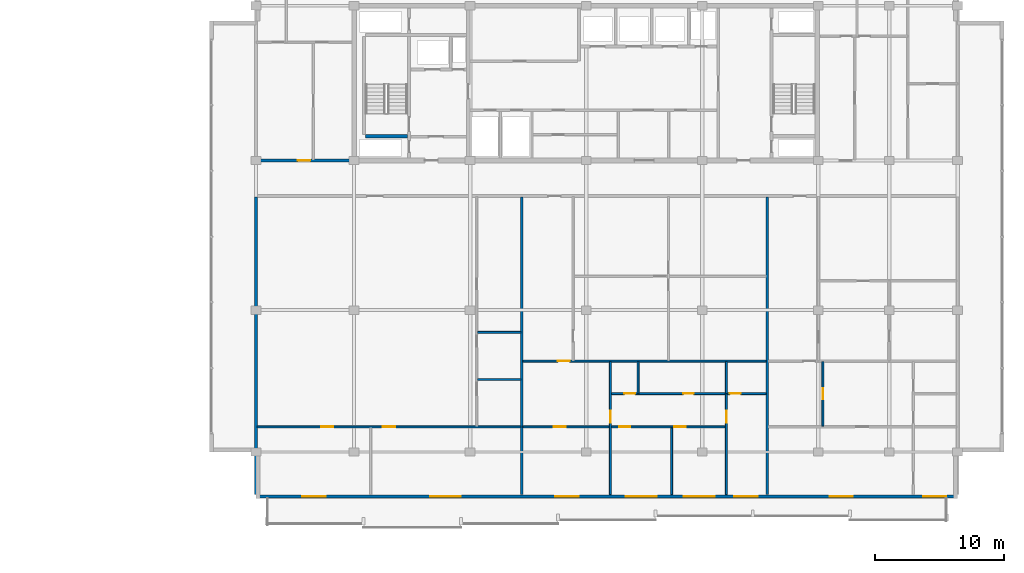
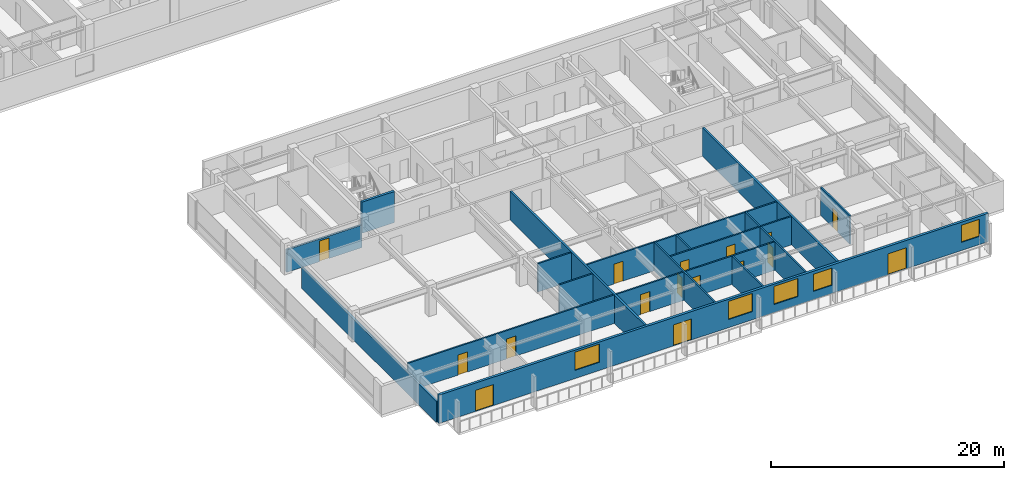
# One storey, part 13 of 30: 18 walls, 16 doors, 5 windows, 21 openings.
"""IFC4 building model written with IfcOpenShell, lengths in metres."""

from ifc_helpers import new_model, si_unit, direction, frame, frame_2d, origin, place, context, subcontext, project, spatial, rectangle, extrude, material, layer, layer_set, type_object, element, fill, save


model = new_model("IFC4")

# Units and contexts
model_context = context("Model", 3, precision=1e-05, world=origin(), true_north=direction((0.0, 1.0)))
body_context = subcontext(model_context, "Body", "Model", "MODEL_VIEW")
ifc_project = project(units=[si_unit("LENGTHUNIT", "METRE"), si_unit("AREAUNIT", "SQUARE_METRE"), si_unit("VOLUMEUNIT", "CUBIC_METRE"), si_unit("PLANEANGLEUNIT", "RADIAN"), si_unit("MASSUNIT", "GRAM", prefix="KILO")], contexts=[model_context])

# Site, building, storey
site_placement = place(None, origin())
site = spatial("IfcSite", under=ifc_project, at=site_placement, CompositionType="ELEMENT")
building_placement = place(site_placement, origin())
building = spatial("IfcBuilding", under=site, at=building_placement, Name="Korimba Cascade Residences", CompositionType="ELEMENT")
storey_placement = place(building_placement, frame((0.0, 0.0, 201.10009765625)))
storey = spatial("IfcBuildingStorey", under=building, at=storey_placement, Name="L58", CompositionType="ELEMENT", Elevation=201.10009765625)

# Wall, openings, doors, windows
ifc_material_1 = material(Name="Precast concrete C40/50", Category="concrete")
ifc_layer_1 = layer(ifc_material_1, 0.25)
ifc_layer_set_1 = layer_set([ifc_layer_1], Name="Precast concrete C40/50")
wall_type_1 = type_object("IfcWallType", Name="EW-LOG-250", PredefinedType="STANDARD", material=ifc_layer_set_1)
wall_1_placement = place(storey_placement, frame((74.5, -7.64990234375, 0.0), z_axis=(0.0, 0.0, 1.0), x_axis=(1.0, 0.0, 0.0)))
wall_1 = element("IfcWall", 1, at=wall_1_placement, inside=storey, type_object=wall_type_1, Name="L58 T2 Perimeter Stone Wall E00", PredefinedType="STANDARD", context=body_context, shape_type="SweptSolid", body=[
    extrude(rectangle(XDim=54.39990234375, YDim=0.25, at=frame_2d((27.199951171875, 0.0))), origin(), (0.0, 0.0, 1.0), 2.969970703125),
])
opening_1_placement = place(wall_1_placement, frame((3.604248046875, 0.0, 0.0)))
opening_1 = element("IfcOpeningElement", 2, at=opening_1_placement, cuts=wall_1, Name="Opening D-LG1", PredefinedType="OPENING", context=body_context, shape_type="SweptSolid", body=[
    extrude(rectangle(XDim=1.800048828125, YDim=2.199951171875, at=frame_2d((0.89990234375, 1.10009765625))), frame((0.0, 0.135009765625, 0.0), z_axis=(0.0, -1.0, 0.0), x_axis=(1.0, 0.0, 0.0)), (0.0, 0.0, 1.0), 0.27001953125),
])
opening_2_placement = place(wall_1_placement, frame((13.492431640625, 0.0, 0.85009765625)))
opening_2 = element("IfcOpeningElement", 3, at=opening_2_placement, cuts=wall_1, Name="Opening W-01", PredefinedType="OPENING", context=body_context, shape_type="SweptSolid", body=[
    extrude(rectangle(XDim=2.39990234375, YDim=1.89990234375, at=frame_2d((1.199951171875, 0.949951171875))), frame((0.0, 0.135009765625, 0.0), z_axis=(0.0, -1.0, 0.0), x_axis=(1.0, 0.0, 0.0)), (0.0, 0.0, 1.0), 0.27001953125),
])
opening_3_placement = place(wall_1_placement, frame((28.655029296875, 0.0, 0.85009765625)))
opening_3 = element("IfcOpeningElement", 4, at=opening_3_placement, cuts=wall_1, Name="Opening W-01", PredefinedType="OPENING", context=body_context, shape_type="SweptSolid", body=[
    extrude(rectangle(XDim=2.39990234375, YDim=1.89990234375, at=frame_2d((1.199951171875, 0.949951171875))), frame((0.0, 0.135009765625, 0.0), z_axis=(0.0, -1.0, 0.0), x_axis=(1.0, 0.0, 0.0)), (0.0, 0.0, 1.0), 0.27001953125),
])
opening_4_placement = place(wall_1_placement, frame((33.155029296875, 0.0, 0.85009765625)))
opening_4 = element("IfcOpeningElement", 5, at=opening_4_placement, cuts=wall_1, Name="Opening W-01", PredefinedType="OPENING", context=body_context, shape_type="SweptSolid", body=[
    extrude(rectangle(XDim=2.39990234375, YDim=1.89990234375, at=frame_2d((1.199951171875, 0.949951171875))), frame((0.0, 0.135009765625, 0.0), z_axis=(0.0, -1.0, 0.0), x_axis=(1.0, 0.0, 0.0)), (0.0, 0.0, 1.0), 0.27001953125),
])
opening_5_placement = place(wall_1_placement, frame((23.20849609375, 0.0, 0.0)))
opening_5 = element("IfcOpeningElement", 6, at=opening_5_placement, cuts=wall_1, Name="Opening D-LG1", PredefinedType="OPENING", context=body_context, shape_type="SweptSolid", body=[
    extrude(rectangle(XDim=1.800048828125, YDim=2.199951171875, at=frame_2d((0.89990234375, 1.10009765625))), frame((0.0, 0.135009765625, 0.0), z_axis=(0.0, -1.0, 0.0), x_axis=(1.0, 0.0, 0.0)), (0.0, 0.0, 1.0), 0.27001953125),
])
opening_6_placement = place(wall_1_placement, frame((37.100830078125, 0.0, 0.85009765625)))
opening_6 = element("IfcOpeningElement", 7, at=opening_6_placement, cuts=wall_1, Name="Opening W-02", PredefinedType="OPENING", context=body_context, shape_type="SweptSolid", body=[
    extrude(rectangle(XDim=1.800048828125, YDim=1.800048828125, at=frame_2d((0.89990234375, 0.89990234375))), frame((0.0, 0.135009765625, 0.0), z_axis=(0.0, -1.0, 0.0), x_axis=(1.0, 0.0, 0.0)), (0.0, 0.0, 1.0), 0.27001953125),
])
opening_7_placement = place(wall_1_placement, frame((44.470947265625, 0.0, 0.0)))
opening_7 = element("IfcOpeningElement", 8, at=opening_7_placement, cuts=wall_1, Name="Opening D-LG1", PredefinedType="OPENING", context=body_context, shape_type="SweptSolid", body=[
    extrude(rectangle(XDim=1.800048828125, YDim=2.199951171875, at=frame_2d((0.89990234375, 1.10009765625))), frame((0.0, 0.135009765625, 0.0), z_axis=(0.0, -1.0, 0.0), x_axis=(1.0, 0.0, 0.0)), (0.0, 0.0, 1.0), 0.27001953125),
])
opening_8_placement = place(wall_1_placement, frame((51.72998046875, 0.0, 0.85009765625)))
opening_8 = element("IfcOpeningElement", 9, at=opening_8_placement, cuts=wall_1, Name="Opening W-02", PredefinedType="OPENING", context=body_context, shape_type="SweptSolid", body=[
    extrude(rectangle(XDim=1.800048828125, YDim=1.800048828125, at=frame_2d((0.89990234375, 0.89990234375))), frame((0.0, 0.135009765625, 0.0), z_axis=(0.0, -1.0, 0.0), x_axis=(1.0, 0.0, 0.0)), (0.0, 0.0, 1.0), 0.27001953125),
])
ifc_material_2 = material(Name="Glazed Aluminium Loggia Sliding Door", Category="aluminium")
door_type_1 = type_object("IfcDoorType", Name="DR-EXT-LOG", OperationType="NOTDEFINED", PredefinedType="DOOR", material=ifc_material_2)
door_1_placement = place(opening_1_placement, origin())
door_1 = element("IfcDoor", 10, at=door_1_placement, inside=storey, type_object=door_type_1, Name="L58 T2 Loggia Sliding Door 3", OperationType="SLIDING_TO_RIGHT", OverallHeight=2.199951171875, OverallWidth=1.800048828125, PredefinedType="DOOR", context=body_context, shape_type="SweptSolid", body=[
    extrude(rectangle(XDim=1.800048828125, YDim=2.199951171875, at=frame_2d((0.89990234375, 1.10009765625))), frame((0.0, 0.02490234375, 0.0), z_axis=(0.0, -1.0, 0.0), x_axis=(1.0, 0.0, 0.0)), (0.0, 0.0, 1.0), 0.050048828125),
])
fill(opening_1, door_1)
door_2_placement = place(opening_5_placement, origin())
door_2 = element("IfcDoor", 11, at=door_2_placement, inside=storey, type_object=door_type_1, Name="L58 T2 Loggia Sliding Door 7", OperationType="SLIDING_TO_RIGHT", OverallHeight=2.199951171875, OverallWidth=1.800048828125, PredefinedType="DOOR", context=body_context, shape_type="SweptSolid", body=[
    extrude(rectangle(XDim=1.800048828125, YDim=2.199951171875, at=frame_2d((0.89990234375, 1.10009765625))), frame((0.0, 0.02490234375, 0.0), z_axis=(0.0, -1.0, 0.0), x_axis=(1.0, 0.0, 0.0)), (0.0, 0.0, 1.0), 0.050048828125),
])
fill(opening_5, door_2)
door_3_placement = place(opening_7_placement, origin())
door_3 = element("IfcDoor", 12, at=door_3_placement, inside=storey, type_object=door_type_1, Name="L58 T2 Loggia Sliding Door 9", OperationType="SLIDING_TO_RIGHT", OverallHeight=2.199951171875, OverallWidth=1.800048828125, PredefinedType="DOOR", context=body_context, shape_type="SweptSolid", body=[
    extrude(rectangle(XDim=1.800048828125, YDim=2.199951171875, at=frame_2d((0.89990234375, 1.10009765625))), frame((0.0, 0.02490234375, 0.0), z_axis=(0.0, -1.0, 0.0), x_axis=(1.0, 0.0, 0.0)), (0.0, 0.0, 1.0), 0.050048828125),
])
fill(opening_7, door_3)
ifc_material_3 = material(Name="Double-Glazed Aluminium Window", Category="aluminium")
window_type_1 = type_object("IfcWindowType", Name="WIN-BED-1800", PartitioningType="SINGLE_PANEL", PredefinedType="WINDOW", material=ifc_material_3)
window_1_placement = place(opening_6_placement, origin())
window_1 = element("IfcWindow", 13, at=window_1_placement, inside=storey, type_object=window_type_1, Name="L58 T2 South Facade Window 8", OverallHeight=1.800048828125, OverallWidth=1.800048828125, PartitioningType="SINGLE_PANEL", PredefinedType="WINDOW", context=body_context, shape_type="SweptSolid", body=[
    extrude(rectangle(XDim=1.800048828125, YDim=1.800048828125, at=frame_2d((0.89990234375, 0.89990234375))), frame((0.0, 0.030029296875, 0.0), z_axis=(0.0, -1.0, 0.0), x_axis=(1.0, 0.0, 0.0)), (0.0, 0.0, 1.0), 0.06005859375),
])
fill(opening_6, window_1)
window_2_placement = place(opening_8_placement, origin())
window_2 = element("IfcWindow", 14, at=window_2_placement, inside=storey, type_object=window_type_1, Name="L58 T2 South Facade Window 10", OverallHeight=1.800048828125, OverallWidth=1.800048828125, PartitioningType="SINGLE_PANEL", PredefinedType="WINDOW", context=body_context, shape_type="SweptSolid", body=[
    extrude(rectangle(XDim=1.800048828125, YDim=1.800048828125, at=frame_2d((0.89990234375, 0.89990234375))), frame((0.0, 0.030029296875, 0.0), z_axis=(0.0, -1.0, 0.0), x_axis=(1.0, 0.0, 0.0)), (0.0, 0.0, 1.0), 0.06005859375),
])
fill(opening_8, window_2)
window_type_2 = type_object("IfcWindowType", Name="WIN-RES-2400", PartitioningType="DOUBLE_PANEL_VERTICAL", PredefinedType="WINDOW", material=ifc_material_3)
window_3_placement = place(opening_2_placement, origin())
window_3 = element("IfcWindow", 15, at=window_3_placement, inside=storey, type_object=window_type_2, Name="L58 T2 South Facade Window 4", OverallHeight=1.89990234375, OverallWidth=2.39990234375, PartitioningType="DOUBLE_PANEL_VERTICAL", PredefinedType="WINDOW", context=body_context, shape_type="SweptSolid", body=[
    extrude(rectangle(XDim=2.39990234375, YDim=1.89990234375, at=frame_2d((1.199951171875, 0.949951171875))), frame((0.0, 0.030029296875, 0.0), z_axis=(0.0, -1.0, 0.0), x_axis=(1.0, 0.0, 0.0)), (0.0, 0.0, 1.0), 0.06005859375),
])
fill(opening_2, window_3)
window_4_placement = place(opening_3_placement, origin())
window_4 = element("IfcWindow", 16, at=window_4_placement, inside=storey, type_object=window_type_2, Name="L58 T2 South Facade Window 5", OverallHeight=1.89990234375, OverallWidth=2.39990234375, PartitioningType="DOUBLE_PANEL_VERTICAL", PredefinedType="WINDOW", context=body_context, shape_type="SweptSolid", body=[
    extrude(rectangle(XDim=2.39990234375, YDim=1.89990234375, at=frame_2d((1.199951171875, 0.949951171875))), frame((0.0, 0.030029296875, 0.0), z_axis=(0.0, -1.0, 0.0), x_axis=(1.0, 0.0, 0.0)), (0.0, 0.0, 1.0), 0.06005859375),
])
fill(opening_3, window_4)
window_5_placement = place(opening_4_placement, origin())
window_5 = element("IfcWindow", 17, at=window_5_placement, inside=storey, type_object=window_type_2, Name="L58 T2 South Facade Window 6", OverallHeight=1.89990234375, OverallWidth=2.39990234375, PartitioningType="DOUBLE_PANEL_VERTICAL", PredefinedType="WINDOW", context=body_context, shape_type="SweptSolid", body=[
    extrude(rectangle(XDim=2.39990234375, YDim=1.89990234375, at=frame_2d((1.199951171875, 0.949951171875))), frame((0.0, 0.030029296875, 0.0), z_axis=(0.0, -1.0, 0.0), x_axis=(1.0, 0.0, 0.0)), (0.0, 0.0, 1.0), 0.06005859375),
])
fill(opening_4, window_5)

# Wall, opening, door
ifc_layer_2 = layer(ifc_material_1, 0.199951171875)
ifc_layer_set_2 = layer_set([ifc_layer_2], Name="Precast concrete C40/50")
wall_type_2 = type_object("IfcWallType", Name="WAL-IT-200", PredefinedType="PARTITIONING", material=ifc_layer_set_2)
wall_2_placement = place(storey_placement, frame((74.5, 18.39990234375, 0.0), z_axis=(0.0, 0.0, 1.0), x_axis=(1.0, 0.0, 0.0)))
wall_2 = element("IfcWall", 18, at=wall_2_placement, inside=storey, type_object=wall_type_2, Name="L58 Partition Wall WAL-L58-T2-FW-S", PredefinedType="PARTITIONING", context=body_context, shape_type="SweptSolid", body=[
    extrude(rectangle(XDim=7.449951171875, YDim=0.199951171875, at=frame_2d((3.72509765625, 0.0))), origin(), (0.0, 0.0, 1.0), 2.357666015625),
])
opening_9_placement = place(wall_2_placement, frame((3.25, 0.0, 0.0)))
opening_9 = element("IfcOpeningElement", 19, at=opening_9_placement, cuts=wall_2, Name="Opening D-UN1", PredefinedType="OPENING", context=body_context, shape_type="SweptSolid", body=[
    extrude(rectangle(XDim=0.949951171875, YDim=2.14990234375, at=frame_2d((0.47509765625, 1.074951171875))), frame((0.0, 0.10986328125, 0.0), z_axis=(0.0, -1.0, 0.0), x_axis=(1.0, 0.0, 0.0)), (0.0, 0.0, 1.0), 0.219970703125),
])
ifc_material_4 = material(Name="Fire-Rated Hardwood Apartment Entrance Door", Category="wood")
door_type_2 = type_object("IfcDoorType", Name="DR-FD60-950", OperationType="NOTDEFINED", PredefinedType="DOOR", material=ifc_material_4)
door_4_placement = place(opening_9_placement, origin())
door_4 = element("IfcDoor", 20, at=door_4_placement, inside=storey, type_object=door_type_2, Name="L58-T2-FW Entrance Door", OperationType="SINGLE_SWING_LEFT", OverallHeight=2.14990234375, OverallWidth=0.949951171875, PredefinedType="DOOR", context=body_context, shape_type="SweptSolid", body=[
    extrude(rectangle(XDim=0.949951171875, YDim=2.14990234375, at=frame_2d((0.47509765625, 1.074951171875))), frame((0.0, 0.02490234375, 0.0), z_axis=(0.0, -1.0, 0.0), x_axis=(1.0, 0.0, 0.0)), (0.0, 0.0, 1.0), 0.050048828125),
])
fill(opening_9, door_4)

# Walls
wall_3_placement = place(storey_placement, frame((74.5, -7.5, 0.0), z_axis=(0.0, 0.0, 1.0), x_axis=(0.0, 1.0, 0.0)))
element("IfcWall", 21, at=wall_3_placement, inside=storey, type_object=wall_type_2, Name="L58 Partition Wall WAL-L58-T2-BNDWL", PredefinedType="PARTITIONING", context=body_context, shape_type="SweptSolid", body=[
    extrude(rectangle(XDim=23.070068359375, YDim=0.199951171875, at=frame_2d((11.53515625, 0.0))), origin(), (0.0, 0.0, 1.0), 2.2001953125),
])
for number, where, z_axis, x_axis, name in (
    (22, (95.11669921875, -7.5, 0.0), (0.0, 0.0, 1.0), (0.0, 1.0, 0.0), "L58 Partition Wall WAL-L58-T2-DEM-1"),
    (23, (114.1416015625, -7.5, 0.0), (0.0, 0.0, 1.0), (0.0, 1.0, 0.0), "L58 Partition Wall WAL-L58-T2-DEM-2"),
):
    element("IfcWall", number, at=place(storey_placement, frame(where, z_axis=z_axis, x_axis=x_axis)), inside=storey, type_object=wall_type_2, Name=name, PredefinedType="PARTITIONING", context=body_context, shape_type="SweptSolid", body=[
        extrude(rectangle(XDim=23.070068359375, YDim=0.199951171875, at=frame_2d((11.53515625, 0.0))), origin(), (0.0, 0.0, 1.0), 2.969970703125),
    ])
ifc_material_5 = material(Name="Insulated Acoustic Stud Partition", Category="gypsum")
ifc_layer_3 = layer(ifc_material_5, 0.14990234375)
ifc_layer_set_3 = layer_set([ifc_layer_3], Name="Insulated Acoustic Stud Partition")
wall_type_3 = type_object("IfcWallType", Name="WAL-PART-150", PredefinedType="PARTITIONING", material=ifc_layer_set_3)
for number, where, z_axis, x_axis, name in (
    (24, (91.6767578125, 1.419921875, 0.0), (0.0, 0.0, 1.0), (1.0, 0.0, 0.0), "L58 Partition Wall WAL-L58-T2-U01-WCH"),
    (25, (91.6767578125, 5.070068359375, 0.0), (0.0, 0.0, 1.0), (1.0, 0.0, 0.0), "L58 Partition Wall WAL-L58-T2-U01-WCH2"),
):
    element("IfcWall", number, at=place(storey_placement, frame(where, z_axis=z_axis, x_axis=x_axis)), inside=storey, type_object=wall_type_3, Name=name, PredefinedType="PARTITIONING", context=body_context, shape_type="SweptSolid", body=[
        extrude(rectangle(XDim=3.35986328125, YDim=0.14990234375, at=frame_2d((1.679931640625, 0.0))), origin(), (0.0, 0.0, 1.0), 2.969970703125),
    ])

# Wall, openings, doors
wall_4_placement = place(storey_placement, frame((74.580078125, -2.25, 0.0), z_axis=(0.0, 0.0, 1.0), x_axis=(1.0, 0.0, 0.0)))
wall_4 = element("IfcWall", 26, at=wall_4_placement, inside=storey, type_object=wall_type_3, Name="L58 Partition Wall WAL-L58-T2-U01-HZ", PredefinedType="PARTITIONING", context=body_context, shape_type="SweptSolid", body=[
    extrude(rectangle(XDim=20.45654296875, YDim=0.14990234375, at=frame_2d((10.228271484375, 0.0))), origin(), (0.0, 0.0, 1.0), 2.969970703125),
])
opening_10_placement = place(wall_4_placement, frame((4.9658203125, 0.0, 0.0)))
opening_10 = element("IfcOpeningElement", 27, at=opening_10_placement, cuts=wall_4, Name="Opening D-IN0", PredefinedType="OPENING", context=body_context, shape_type="SweptSolid", body=[
    extrude(rectangle(XDim=0.93994140625, YDim=2.10009765625, at=frame_2d((0.469970703125, 1.050048828125))), frame((0.0, 0.0849609375, 0.0), z_axis=(0.0, -1.0, 0.0), x_axis=(1.0, 0.0, 0.0)), (0.0, 0.0, 1.0), 0.169921875),
])
opening_11_placement = place(wall_4_placement, frame((9.75830078125, 0.0, 0.0)))
opening_11 = element("IfcOpeningElement", 28, at=opening_11_placement, cuts=wall_4, Name="Opening D-IN0", PredefinedType="OPENING", context=body_context, shape_type="SweptSolid", body=[
    extrude(rectangle(XDim=0.93994140625, YDim=2.10009765625, at=frame_2d((0.469970703125, 1.050048828125))), frame((0.0, 0.0849609375, 0.0), z_axis=(0.0, -1.0, 0.0), x_axis=(1.0, 0.0, 0.0)), (0.0, 0.0, 1.0), 0.169921875),
])
ifc_material_6 = material(Name="Acoustic Timber Living Archway Door", Category="wood")
door_type_3 = type_object("IfcDoorType", Name="DR-INT-950", OperationType="NOTDEFINED", PredefinedType="DOOR", material=ifc_material_6)
door_5_placement = place(opening_10_placement, origin())
door_5 = element("IfcDoor", 29, at=door_5_placement, inside=storey, type_object=door_type_3, Name="L58-T2-U01 Resident Gourmet Market Door", OperationType="SINGLE_SWING_LEFT", OverallHeight=2.10009765625, OverallWidth=0.93994140625, PredefinedType="DOOR", context=body_context, shape_type="SweptSolid", body=[
    extrude(rectangle(XDim=0.93994140625, YDim=2.10009765625, at=frame_2d((0.469970703125, 1.050048828125))), frame((0.0, 0.02490234375, 0.0), z_axis=(0.0, -1.0, 0.0), x_axis=(1.0, 0.0, 0.0)), (0.0, 0.0, 1.0), 0.050048828125),
])
fill(opening_10, door_5)
door_6_placement = place(opening_11_placement, origin())
door_6 = element("IfcDoor", 30, at=door_6_placement, inside=storey, type_object=door_type_3, Name="L58-T2-U01 Artisan Gallery Boutique Door", OperationType="SINGLE_SWING_RIGHT", OverallHeight=2.10009765625, OverallWidth=0.93994140625, PredefinedType="DOOR", context=body_context, shape_type="SweptSolid", body=[
    extrude(rectangle(XDim=0.93994140625, YDim=2.10009765625, at=frame_2d((0.469970703125, 1.050048828125))), frame((0.0, 0.02490234375, 0.0), z_axis=(0.0, -1.0, 0.0), x_axis=(1.0, 0.0, 0.0)), (0.0, 0.0, 1.0), 0.050048828125),
])
fill(opening_11, door_6)

# Walls
wall_5_placement = place(storey_placement, frame((104.1298828125, 0.340087890625, 0.0), z_axis=(0.0, 0.0, 1.0), x_axis=(0.0, 1.0, 0.0)))
element("IfcWall", 31, at=wall_5_placement, inside=storey, type_object=wall_type_3, Name="L58 Partition Wall WAL-L58-T2-U02-VDRS", PredefinedType="PARTITIONING", context=body_context, shape_type="SweptSolid", body=[
    extrude(rectangle(XDim=2.469970703125, YDim=0.14990234375, at=frame_2d((1.23486328125, 0.0))), origin(), (0.0, 0.0, 1.0), 2.969970703125),
])
wall_6_placement = place(storey_placement, frame((106.72998046875, -7.5, 0.0), z_axis=(0.0, 0.0, 1.0), x_axis=(0.0, 1.0, 0.0)))
element("IfcWall", 32, at=wall_6_placement, inside=storey, type_object=wall_type_3, Name="L58 Partition Wall WAL-L58-T2-U02-VSTD", PredefinedType="PARTITIONING", context=body_context, shape_type="SweptSolid", body=[
    extrude(rectangle(XDim=5.169921875, YDim=0.14990234375, at=frame_2d((2.5849609375, 0.0))), origin(), (0.0, 0.0, 1.0), 2.969970703125),
])

# Wall, opening, door
wall_7_placement = place(storey_placement, frame((101.97998046875, -7.5, 0.0), z_axis=(0.0, 0.0, 1.0), x_axis=(0.0, 1.0, 0.0)))
wall_7 = element("IfcWall", 33, at=wall_7_placement, inside=storey, type_object=wall_type_3, Name="L58 Partition Wall WAL-L58-T2-U02-V1", PredefinedType="PARTITIONING", context=body_context, shape_type="SweptSolid", body=[
    extrude(rectangle(XDim=10.31005859375, YDim=0.14990234375, at=frame_2d((5.155029296875, 0.0))), origin(), (0.0, 0.0, 1.0), 2.969970703125),
])
opening_12_placement = place(wall_7_placement, frame((5.570068359375, 0.0, 0.0)))
opening_12 = element("IfcOpeningElement", 34, at=opening_12_placement, cuts=wall_7, Name="Opening D-IN1", PredefinedType="OPENING", context=body_context, shape_type="SweptSolid", body=[
    extrude(rectangle(XDim=0.919921875, YDim=2.080078125, at=frame_2d((0.4599609375, 1.0400390625))), frame((0.0, 0.0849609375, 0.0), z_axis=(0.0, -1.0, 0.0), x_axis=(1.0, 0.0, 0.0)), (0.0, 0.0, 1.0), 0.169921875),
])
ifc_material_7 = material(Name="Acoustic Timber Living Door", Category="wood")
door_type_4 = type_object("IfcDoorType", Name="DR-INT-920", OperationType="NOTDEFINED", PredefinedType="DOOR", material=ifc_material_7)
door_7_placement = place(opening_12_placement, origin())
door_7 = element("IfcDoor", 35, at=door_7_placement, inside=storey, type_object=door_type_4, Name="L58-T2-U02 Hallway Door", OperationType="SINGLE_SWING_LEFT", OverallHeight=2.080078125, OverallWidth=0.919921875, PredefinedType="DOOR", context=body_context, shape_type="SweptSolid", body=[
    extrude(rectangle(XDim=0.919921875, YDim=2.080078125, at=frame_2d((0.4599609375, 1.0400390625))), frame((0.0, 0.02490234375, 0.0), z_axis=(0.0, -1.0, 0.0), x_axis=(1.0, 0.0, 0.0)), (0.0, 0.0, 1.0), 0.050048828125),
])
fill(opening_12, door_7)

# Wall
wall_8_placement = place(storey_placement, frame((110.97998046875, 0.340087890625, 0.0), z_axis=(0.0, 0.0, 1.0), x_axis=(0.0, 1.0, 0.0)))
element("IfcWall", 36, at=wall_8_placement, inside=storey, type_object=wall_type_3, Name="L58 Partition Wall WAL-L58-T2-U02-VBATH", PredefinedType="PARTITIONING", context=body_context, shape_type="SweptSolid", body=[
    extrude(rectangle(XDim=2.469970703125, YDim=0.14990234375, at=frame_2d((1.23486328125, 0.0))), origin(), (0.0, 0.0, 1.0), 2.969970703125),
])

# Wall, opening, door
wall_9_placement = place(storey_placement, frame((110.97998046875, -7.5, 0.0), z_axis=(0.0, 0.0, 1.0), x_axis=(0.0, 1.0, 0.0)))
wall_9 = element("IfcWall", 37, at=wall_9_placement, inside=storey, type_object=wall_type_3, Name="L58 Partition Wall WAL-L58-T2-U02-V2FULL", PredefinedType="PARTITIONING", context=body_context, shape_type="SweptSolid", body=[
    extrude(rectangle(XDim=7.800048828125, YDim=0.14990234375, at=frame_2d((3.89990234375, 0.0))), origin(), (0.0, 0.0, 1.0), 2.969970703125),
])
opening_13_placement = place(wall_9_placement, frame((5.570068359375, 0.0, 0.0)))
opening_13 = element("IfcOpeningElement", 38, at=opening_13_placement, cuts=wall_9, Name="Opening D-IN1", PredefinedType="OPENING", context=body_context, shape_type="SweptSolid", body=[
    extrude(rectangle(XDim=0.919921875, YDim=2.080078125, at=frame_2d((0.4599609375, 1.0400390625))), frame((0.0, 0.0849609375, 0.0), z_axis=(0.0, -1.0, 0.0), x_axis=(1.0, 0.0, 0.0)), (0.0, 0.0, 1.0), 0.169921875),
])
door_8_placement = place(opening_13_placement, origin())
door_8 = element("IfcDoor", 39, at=door_8_placement, inside=storey, type_object=door_type_4, Name="L58-T2-U02 Master Bedroom Door", OperationType="SINGLE_SWING_RIGHT", OverallHeight=2.080078125, OverallWidth=0.919921875, PredefinedType="DOOR", context=body_context, shape_type="SweptSolid", body=[
    extrude(rectangle(XDim=0.919921875, YDim=2.080078125, at=frame_2d((0.4599609375, 1.0400390625))), frame((0.0, 0.02490234375, 0.0), z_axis=(0.0, -1.0, 0.0), x_axis=(1.0, 0.0, 0.0)), (0.0, 0.0, 1.0), 0.050048828125),
])
fill(opening_13, door_8)

# Wall, openings, doors
wall_10_placement = place(storey_placement, frame((102.02001953125, 0.320068359375, 0.0), z_axis=(0.0, 0.0, 1.0), x_axis=(1.0, 0.0, 0.0)))
wall_10 = element("IfcWall", 40, at=wall_10_placement, inside=storey, type_object=wall_type_3, Name="L58 Partition Wall WAL-L58-T2-U02-HWALL", PredefinedType="PARTITIONING", context=body_context, shape_type="SweptSolid", body=[
    extrude(rectangle(XDim=12.041748046875, YDim=0.14990234375, at=frame_2d((6.02099609375, 0.0))), origin(), (0.0, 0.0, 1.0), 2.969970703125),
])
opening_14_placement = place(wall_10_placement, frame((1.033935546875, 0.0, 0.0)))
opening_14 = element("IfcOpeningElement", 41, at=opening_14_placement, cuts=wall_10, Name="Opening D-BT1", PredefinedType="OPENING", context=body_context, shape_type="SweptSolid", body=[
    extrude(rectangle(XDim=0.840087890625, YDim=2.0400390625, at=frame_2d((0.419921875, 1.02001953125))), frame((0.0, 0.0849609375, 0.0), z_axis=(0.0, -1.0, 0.0), x_axis=(1.0, 0.0, 0.0)), (0.0, 0.0, 1.0), 0.169921875),
])
opening_15_placement = place(wall_10_placement, frame((5.600830078125, 0.0, 0.0)))
opening_15 = element("IfcOpeningElement", 42, at=opening_15_placement, cuts=wall_10, Name="Opening D-BT1", PredefinedType="OPENING", context=body_context, shape_type="SweptSolid", body=[
    extrude(rectangle(XDim=0.840087890625, YDim=2.0400390625, at=frame_2d((0.419921875, 1.02001953125))), frame((0.0, 0.0849609375, 0.0), z_axis=(0.0, -1.0, 0.0), x_axis=(1.0, 0.0, 0.0)), (0.0, 0.0, 1.0), 0.169921875),
])
opening_16_placement = place(wall_10_placement, frame((9.2099609375, 0.0, 0.0)))
opening_16 = element("IfcOpeningElement", 43, at=opening_16_placement, cuts=wall_10, Name="Opening D-BT1", PredefinedType="OPENING", context=body_context, shape_type="SweptSolid", body=[
    extrude(rectangle(XDim=0.840087890625, YDim=2.0400390625, at=frame_2d((0.419921875, 1.02001953125))), frame((0.0, 0.0849609375, 0.0), z_axis=(0.0, -1.0, 0.0), x_axis=(1.0, 0.0, 0.0)), (0.0, 0.0, 1.0), 0.169921875),
])
ifc_material_8 = material(Name="Moisture-Resistant Bathroom Timber Door", Category="wood")
door_type_5 = type_object("IfcDoorType", Name="DR-INT-850", OperationType="NOTDEFINED", PredefinedType="DOOR", material=ifc_material_8)
door_9_placement = place(opening_14_placement, origin())
door_9 = element("IfcDoor", 44, at=door_9_placement, inside=storey, type_object=door_type_5, Name="L58-T2-U02 Family Bathroom Door", OperationType="SINGLE_SWING_LEFT", OverallHeight=2.0400390625, OverallWidth=0.840087890625, PredefinedType="DOOR", context=body_context, shape_type="SweptSolid", body=[
    extrude(rectangle(XDim=0.840087890625, YDim=2.0400390625, at=frame_2d((0.419921875, 1.02001953125))), frame((0.0, 0.02490234375, 0.0), z_axis=(0.0, -1.0, 0.0), x_axis=(1.0, 0.0, 0.0)), (0.0, 0.0, 1.0), 0.050048828125),
])
fill(opening_14, door_9)
door_10_placement = place(opening_15_placement, origin())
door_10 = element("IfcDoor", 45, at=door_10_placement, inside=storey, type_object=door_type_5, Name="L58-T2-U02 Dressing Room Door", OperationType="SINGLE_SWING_RIGHT", OverallHeight=2.0400390625, OverallWidth=0.840087890625, PredefinedType="DOOR", context=body_context, shape_type="SweptSolid", body=[
    extrude(rectangle(XDim=0.840087890625, YDim=2.0400390625, at=frame_2d((0.419921875, 1.02001953125))), frame((0.0, 0.02490234375, 0.0), z_axis=(0.0, -1.0, 0.0), x_axis=(1.0, 0.0, 0.0)), (0.0, 0.0, 1.0), 0.050048828125),
])
fill(opening_15, door_10)
door_11_placement = place(opening_16_placement, origin())
door_11 = element("IfcDoor", 46, at=door_11_placement, inside=storey, type_object=door_type_5, Name="L58-T2-U02 En-Suite Door", OperationType="SINGLE_SWING_LEFT", OverallHeight=2.0400390625, OverallWidth=0.840087890625, PredefinedType="DOOR", context=body_context, shape_type="SweptSolid", body=[
    extrude(rectangle(XDim=0.840087890625, YDim=2.0400390625, at=frame_2d((0.419921875, 1.02001953125))), frame((0.0, 0.02490234375, 0.0), z_axis=(0.0, -1.0, 0.0), x_axis=(1.0, 0.0, 0.0)), (0.0, 0.0, 1.0), 0.050048828125),
])
fill(opening_16, door_11)

# Wall, opening, door
wall_11_placement = place(storey_placement, frame((95.19677734375, 2.85009765625, 0.0), z_axis=(0.0, 0.0, 1.0), x_axis=(1.0, 0.0, 0.0)))
wall_11 = element("IfcWall", 47, at=wall_11_placement, inside=storey, type_object=wall_type_3, Name="L58 Partition Wall WAL-L58-T2-U02-MW", PredefinedType="PARTITIONING", context=body_context, shape_type="SweptSolid", body=[
    extrude(rectangle(XDim=18.864990234375, YDim=0.14990234375, at=frame_2d((9.4326171875, 0.0))), origin(), (0.0, 0.0, 1.0), 2.969970703125),
])
opening_17_placement = place(wall_11_placement, frame((2.719970703125, 0.0, 0.0)))
opening_17 = element("IfcOpeningElement", 48, at=opening_17_placement, cuts=wall_11, Name="Opening D-IN1", PredefinedType="OPENING", context=body_context, shape_type="SweptSolid", body=[
    extrude(rectangle(XDim=0.919921875, YDim=2.080078125, at=frame_2d((0.4599609375, 1.0400390625))), frame((0.0, 0.0849609375, 0.0), z_axis=(0.0, -1.0, 0.0), x_axis=(1.0, 0.0, 0.0)), (0.0, 0.0, 1.0), 0.169921875),
])
door_12_placement = place(opening_17_placement, origin())
door_12 = element("IfcDoor", 49, at=door_12_placement, inside=storey, type_object=door_type_4, Name="L58-T2-U02 Kitchen Door", OperationType="SINGLE_SWING_RIGHT", OverallHeight=2.080078125, OverallWidth=0.919921875, PredefinedType="DOOR", context=body_context, shape_type="SweptSolid", body=[
    extrude(rectangle(XDim=0.919921875, YDim=2.080078125, at=frame_2d((0.4599609375, 1.0400390625))), frame((0.0, 0.02490234375, 0.0), z_axis=(0.0, -1.0, 0.0), x_axis=(1.0, 0.0, 0.0)), (0.0, 0.0, 1.0), 0.050048828125),
])
fill(opening_17, door_12)

# Wall, openings, doors
wall_12_placement = place(storey_placement, frame((95.19677734375, -2.25, 0.0), z_axis=(0.0, 0.0, 1.0), x_axis=(1.0, 0.0, 0.0)))
wall_12 = element("IfcWall", 50, at=wall_12_placement, inside=storey, type_object=wall_type_3, Name="L58 Partition Wall WAL-L58-T2-U02-HZ", PredefinedType="PARTITIONING", context=body_context, shape_type="SweptSolid", body=[
    extrude(rectangle(XDim=15.783203125, YDim=0.14990234375, at=frame_2d((7.8916015625, 0.0))), origin(), (0.0, 0.0, 1.0), 2.969970703125),
])
opening_18_placement = place(wall_12_placement, frame((2.38720703125, 0.0, 0.0)))
opening_18 = element("IfcOpeningElement", 51, at=opening_18_placement, cuts=wall_12, Name="Opening D-IN0", PredefinedType="OPENING", context=body_context, shape_type="SweptSolid", body=[
    extrude(rectangle(XDim=0.93994140625, YDim=2.10009765625, at=frame_2d((0.469970703125, 1.050048828125))), frame((0.0, 0.0849609375, 0.0), z_axis=(0.0, -1.0, 0.0), x_axis=(1.0, 0.0, 0.0)), (0.0, 0.0, 1.0), 0.169921875),
])
opening_19_placement = place(wall_12_placement, frame((7.45166015625, 0.0, 0.0)))
opening_19 = element("IfcOpeningElement", 52, at=opening_19_placement, cuts=wall_12, Name="Opening D-IN2", PredefinedType="OPENING", context=body_context, shape_type="SweptSolid", body=[
    extrude(rectangle(XDim=0.8798828125, YDim=2.06005859375, at=frame_2d((0.43994140625, 1.030029296875))), frame((0.0, 0.0849609375, 0.0), z_axis=(0.0, -1.0, 0.0), x_axis=(1.0, 0.0, 0.0)), (0.0, 0.0, 1.0), 0.169921875),
])
opening_20_placement = place(wall_12_placement, frame((11.75341796875, 0.0, 0.0)))
opening_20 = element("IfcOpeningElement", 53, at=opening_20_placement, cuts=wall_12, Name="Opening D-IN2", PredefinedType="OPENING", context=body_context, shape_type="SweptSolid", body=[
    extrude(rectangle(XDim=0.8798828125, YDim=2.06005859375, at=frame_2d((0.43994140625, 1.030029296875))), frame((0.0, 0.0849609375, 0.0), z_axis=(0.0, -1.0, 0.0), x_axis=(1.0, 0.0, 0.0)), (0.0, 0.0, 1.0), 0.169921875),
])
ifc_material_9 = material(Name="Acoustic Timber Bedroom Door", Category="wood")
door_type_6 = type_object("IfcDoorType", Name="DR-INT-880", OperationType="NOTDEFINED", PredefinedType="DOOR", material=ifc_material_9)
door_13_placement = place(opening_19_placement, origin())
door_13 = element("IfcDoor", 54, at=door_13_placement, inside=storey, type_object=door_type_6, Name="L58-T2-U02 Bedroom 2 Door", OperationType="SINGLE_SWING_RIGHT", OverallHeight=2.06005859375, OverallWidth=0.8798828125, PredefinedType="DOOR", context=body_context, shape_type="SweptSolid", body=[
    extrude(rectangle(XDim=0.8798828125, YDim=2.06005859375, at=frame_2d((0.43994140625, 1.030029296875))), frame((0.0, 0.02490234375, 0.0), z_axis=(0.0, -1.0, 0.0), x_axis=(1.0, 0.0, 0.0)), (0.0, 0.0, 1.0), 0.050048828125),
])
fill(opening_19, door_13)
door_14_placement = place(opening_20_placement, origin())
door_14 = element("IfcDoor", 55, at=door_14_placement, inside=storey, type_object=door_type_6, Name="L58-T2-U02 Study Door", OperationType="SINGLE_SWING_LEFT", OverallHeight=2.06005859375, OverallWidth=0.8798828125, PredefinedType="DOOR", context=body_context, shape_type="SweptSolid", body=[
    extrude(rectangle(XDim=0.8798828125, YDim=2.06005859375, at=frame_2d((0.43994140625, 1.030029296875))), frame((0.0, 0.02490234375, 0.0), z_axis=(0.0, -1.0, 0.0), x_axis=(1.0, 0.0, 0.0)), (0.0, 0.0, 1.0), 0.050048828125),
])
fill(opening_20, door_14)
door_15_placement = place(opening_18_placement, origin())
door_15 = element("IfcDoor", 56, at=door_15_placement, inside=storey, type_object=door_type_3, Name="L58-T2-U02 Living Room Door", OperationType="SINGLE_SWING_LEFT", OverallHeight=2.10009765625, OverallWidth=0.93994140625, PredefinedType="DOOR", context=body_context, shape_type="SweptSolid", body=[
    extrude(rectangle(XDim=0.93994140625, YDim=2.10009765625, at=frame_2d((0.469970703125, 1.050048828125))), frame((0.0, 0.02490234375, 0.0), z_axis=(0.0, -1.0, 0.0), x_axis=(1.0, 0.0, 0.0)), (0.0, 0.0, 1.0), 0.050048828125),
])
fill(opening_18, door_15)

# Wall, opening, door
wall_13_placement = place(storey_placement, frame((118.461669921875, -2.18994140625, 0.0), z_axis=(0.0, 0.0, 1.0), x_axis=(0.0, 1.0, 0.0)))
wall_13 = element("IfcWall", 57, at=wall_13_placement, inside=storey, type_object=wall_type_3, Name="L58 Partition Wall WAL-L58-T2-U03-VDIN", PredefinedType="PARTITIONING", context=body_context, shape_type="SweptSolid", body=[
    extrude(rectangle(XDim=5.0, YDim=0.14990234375, at=frame_2d((2.5, 0.0))), origin(), (0.0, 0.0, 1.0), 2.969970703125),
])
opening_21_placement = place(wall_13_placement, frame((2.06005859375, 0.0, 0.0)))
opening_21 = element("IfcOpeningElement", 58, at=opening_21_placement, cuts=wall_13, Name="Opening D-IN2", PredefinedType="OPENING", context=body_context, shape_type="SweptSolid", body=[
    extrude(rectangle(XDim=0.8798828125, YDim=2.06005859375, at=frame_2d((0.43994140625, 1.030029296875))), frame((0.0, 0.0849609375, 0.0), z_axis=(0.0, -1.0, 0.0), x_axis=(1.0, 0.0, 0.0)), (0.0, 0.0, 1.0), 0.169921875),
])
door_16_placement = place(opening_21_placement, origin())
door_16 = element("IfcDoor", 59, at=door_16_placement, inside=storey, type_object=door_type_6, Name="L58-T2-U03 Dining Room Door", OperationType="SINGLE_SWING_LEFT", OverallHeight=2.06005859375, OverallWidth=0.8798828125, PredefinedType="DOOR", context=body_context, shape_type="SweptSolid", body=[
    extrude(rectangle(XDim=0.8798828125, YDim=2.06005859375, at=frame_2d((0.43994140625, 1.030029296875))), frame((0.0, 0.02490234375, 0.0), z_axis=(0.0, -1.0, 0.0), x_axis=(1.0, 0.0, 0.0)), (0.0, 0.0, 1.0), 0.050048828125),
])
fill(opening_21, door_16)

# Wall
ifc_material_10 = material(Name="Concrete C50/60", Category="concrete")
ifc_layer_4 = layer(ifc_material_10, 0.25)
ifc_layer_set_4 = layer_set([ifc_layer_4], Name="Concrete C50/60")
wall_type_4 = type_object("IfcWallType", Name="WAL-SHAFT-250", PredefinedType="SHEAR", material=ifc_layer_set_4)
wall_14_placement = place(storey_placement, frame((83.0, 20.27490234375, 0.0), z_axis=(0.0, 0.0, 1.0), x_axis=(1.0, 0.0, 0.0)))
element("IfcWall", 60, at=wall_14_placement, inside=storey, type_object=wall_type_4, Name="L58 Core Shear Wall CW-L58-T2-STE1S", PredefinedType="SHEAR", context=body_context, shape_type="SweptSolid", body=[
    extrude(rectangle(XDim=3.239990234375, YDim=0.25, at=frame_2d((1.6201171875, 0.0))), origin(), (0.0, 0.0, 1.0), 3.25),
])

save(model, "model.ifc")
